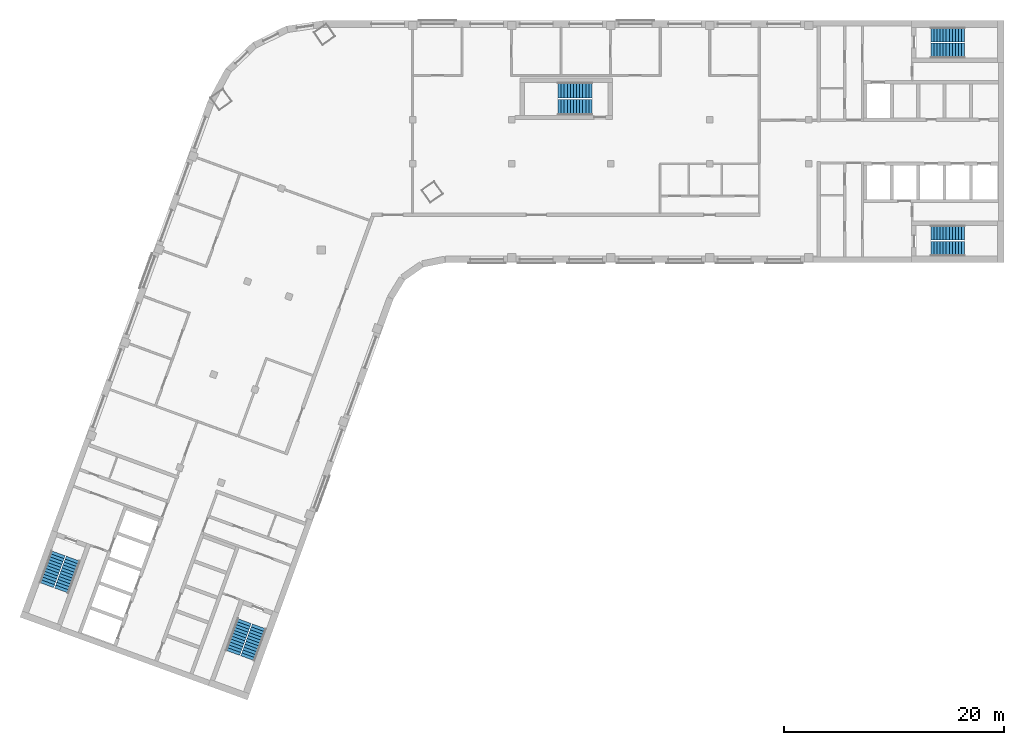
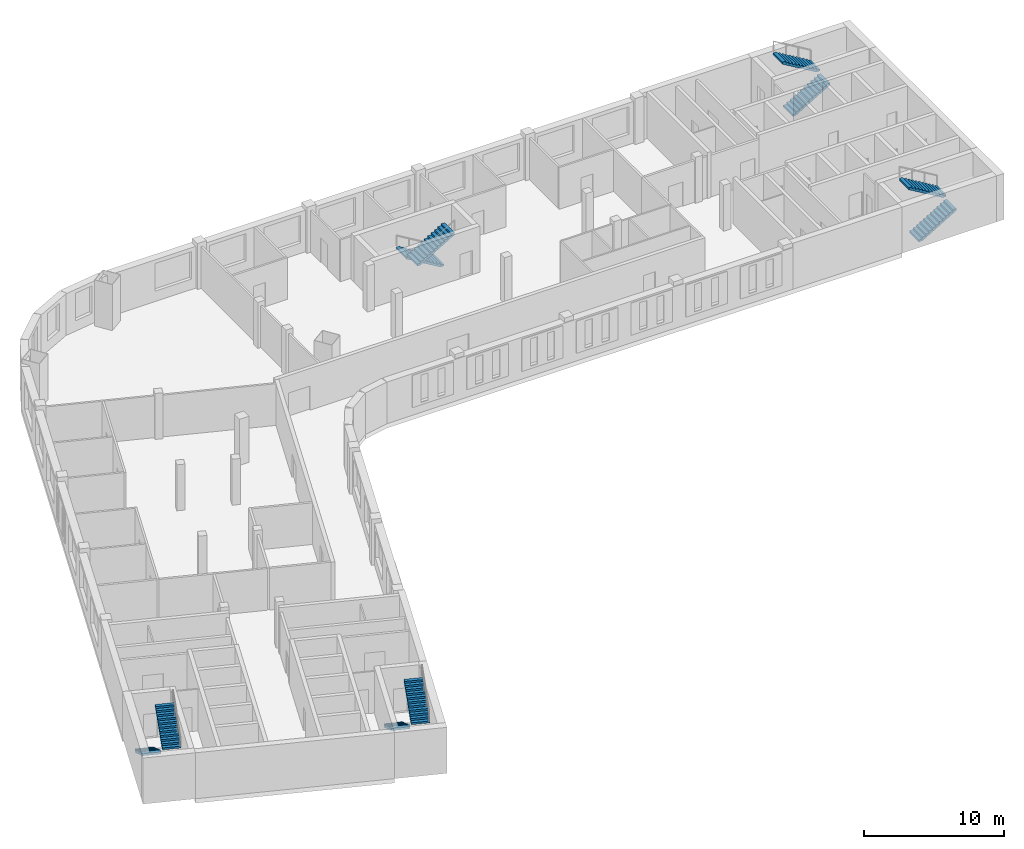
# One storey, part 7 of 8: 10 stair flights, 5 elements without a shape of their own.
"""IFC4 building model written with IfcOpenShell, lengths in metres."""

from ifc_helpers import new_model, si_unit, direction, frame, origin, place, context, subcontext, project, spatial, polyline, outline, extrude, material, type_object, element, aggregate, save


model = new_model("IFC4")

# Units and contexts
model_context = context("Model", 3, precision=1e-05, world=origin(), true_north=direction((0.0, 1.0)))
body_context = subcontext(model_context, "Body", "Model", "MODEL_VIEW")
ifc_project = project(units=[si_unit("LENGTHUNIT", "METRE"), si_unit("AREAUNIT", "SQUARE_METRE"), si_unit("VOLUMEUNIT", "CUBIC_METRE"), si_unit("PLANEANGLEUNIT", "RADIAN"), si_unit("MASSUNIT", "GRAM", prefix="KILO")], contexts=[model_context])

# Site, building, storey
site_placement = place(None, origin())
site = spatial("IfcSite", under=ifc_project, at=site_placement, CompositionType="ELEMENT")
building_placement = place(site_placement, origin())
building = spatial("IfcBuilding", under=site, at=building_placement, Name="Skarvind Civic Tower", CompositionType="ELEMENT")
storey_placement = place(building_placement, frame((0.0, 0.0, 200.0)))
storey = spatial("IfcBuildingStorey", under=building, at=storey_placement, Name="L47", CompositionType="ELEMENT", Elevation=200.0)

# Stair, stair flights
ifc_material = material(Name="Concrete C40/50", Category="concrete")
stair_type_1 = type_object("IfcStairType", Name="Exit stair 1450, half-turn, concrete", PredefinedType="HALF_TURN_STAIR", material=ifc_material)
stair_1_placement = place(storey_placement, origin())
stair_1 = element("IfcStair", 1, at=stair_1_placement, inside=storey, type_object=stair_type_1, Name="Exit stair CM", PredefinedType="HALF_TURN_STAIR")
stair_flight_type_1 = type_object("IfcStairFlightType", Name="Stair flight 1450, concrete", PredefinedType="STRAIGHT", material=ifc_material)
stair_flight_1_placement = place(storey_placement, frame((70.550048828125, 132.675048828125, 0.0), z_axis=(0.0, 0.0, 1.0), x_axis=(-1.0, 0.0, 0.0)))
stair_flight_1 = element("IfcStairFlight", 2, at=stair_flight_1_placement, type_object=stair_flight_type_1, Name="ST-CM flight 1", NumberOfRisers=12, NumberOfTreads=11, PredefinedType="STRAIGHT", RiserHeight=0.166666667, TreadLength=0.28, context=body_context, shape_type="SweptSolid", body=[
    extrude(outline(polyline([(0.0, 0.0), (0.0, 0.166748046875), (0.280029296875, 0.166748046875), (0.280029296875, 0.333251953125), (0.56005859375, 0.333251953125), (0.56005859375, 0.5), (0.840087890625, 0.5), (0.840087890625, 0.666748046875), (1.1201171875, 0.666748046875), (1.1201171875, 0.833251953125), (1.39990234375, 0.833251953125), (1.39990234375, 1.0), (1.679931640625, 1.0), (1.679931640625, 1.166748046875), (1.9599609375, 1.166748046875), (1.9599609375, 1.333251953125), (2.239990234375, 1.333251953125), (2.239990234375, 1.5), (2.52001953125, 1.5), (2.52001953125, 1.666748046875), (2.800048828125, 1.666748046875), (2.800048828125, 1.833251953125), (3.080078125, 1.833251953125), (3.080078125, 2.0), (3.080078125, 1.658935546875), (0.29296875, 0.0), (0.0, 0.0)])), frame((0.0, 0.72509765625, 0.0), z_axis=(0.0, -1.0, 0.0), x_axis=(1.0, 0.0, 0.0)), (0.0, 0.0, 1.0), 1.449951171875),
])
stair_flight_2_placement = place(storey_placement, frame((67.469970703125, 131.125, 2.0), z_axis=(0.0, 0.0, 1.0), x_axis=(1.0, 0.0, 0.0)))
stair_flight_2 = element("IfcStairFlight", 3, at=stair_flight_2_placement, type_object=stair_flight_type_1, Name="ST-CM flight 2", NumberOfRisers=12, NumberOfTreads=11, PredefinedType="STRAIGHT", RiserHeight=0.166666667, TreadLength=0.28, context=body_context, shape_type="SweptSolid", body=[
    extrude(outline(polyline([(0.0, 0.0), (0.0, 0.166748046875), (0.280029296875, 0.166748046875), (0.280029296875, 0.333251953125), (0.56005859375, 0.333251953125), (0.56005859375, 0.5), (0.840087890625, 0.5), (0.840087890625, 0.666748046875), (1.1201171875, 0.666748046875), (1.1201171875, 0.833251953125), (1.39990234375, 0.833251953125), (1.39990234375, 1.0), (1.679931640625, 1.0), (1.679931640625, 1.166748046875), (1.9599609375, 1.166748046875), (1.9599609375, 1.333251953125), (2.239990234375, 1.333251953125), (2.239990234375, 1.5), (2.52001953125, 1.5), (2.52001953125, 1.666748046875), (2.800048828125, 1.666748046875), (2.800048828125, 1.833251953125), (3.080078125, 1.833251953125), (3.080078125, 2.0), (3.080078125, 1.658935546875), (0.29296875, 0.0), (0.0, 0.0)])), frame((0.0, 0.72509765625, 0.0), z_axis=(0.0, -1.0, 0.0), x_axis=(1.0, 0.0, 0.0)), (0.0, 0.0, 1.0), 1.449951171875),
])
aggregate(stair_1, [stair_flight_1, stair_flight_2])

stair_type_2 = type_object("IfcStairType", Name="Exit stair, half-turn, concrete", PredefinedType="HALF_TURN_STAIR", material=ifc_material)
stair_2_placement = place(storey_placement, origin())
stair_2 = element("IfcStair", 4, at=stair_2_placement, inside=storey, type_object=stair_type_2, Name="Exit stair C1S", PredefinedType="HALF_TURN_STAIR")
stair_flight_type_2 = type_object("IfcStairFlightType", Name="Stair flight, concrete", PredefinedType="STRAIGHT", material=ifc_material)
stair_flight_3_placement = place(storey_placement, frame((101.35009765625, 136.27490234375, 0.0), z_axis=(0.0, 0.0, 1.0), x_axis=(1.0, 0.0, 0.0)))
stair_flight_3 = element("IfcStairFlight", 5, at=stair_flight_3_placement, type_object=stair_flight_type_2, Name="ST-C1S flight 1", NumberOfRisers=12, NumberOfTreads=11, PredefinedType="STRAIGHT", RiserHeight=0.166666667, TreadLength=0.28, context=body_context, shape_type="SweptSolid", body=[
    extrude(outline(polyline([(0.0, 0.0), (0.0, 0.166748046875), (0.280029296875, 0.166748046875), (0.280029296875, 0.333251953125), (0.56005859375, 0.333251953125), (0.56005859375, 0.5), (0.840087890625, 0.5), (0.840087890625, 0.666748046875), (1.1201171875, 0.666748046875), (1.1201171875, 0.833251953125), (1.39990234375, 0.833251953125), (1.39990234375, 1.0), (1.679931640625, 1.0), (1.679931640625, 1.166748046875), (1.9599609375, 1.166748046875), (1.9599609375, 1.333251953125), (2.239990234375, 1.333251953125), (2.239990234375, 1.5), (2.52001953125, 1.5), (2.52001953125, 1.666748046875), (2.800048828125, 1.666748046875), (2.800048828125, 1.833251953125), (3.080078125, 1.833251953125), (3.080078125, 2.0), (3.080078125, 1.658935546875), (0.29296875, 0.0), (0.0, 0.0)])), frame((0.0, 0.675048828125, 0.0), z_axis=(0.0, -1.0, 0.0), x_axis=(1.0, 0.0, 0.0)), (0.0, 0.0, 1.0), 1.35009765625),
])
stair_flight_4_placement = place(storey_placement, frame((104.429931640625, 137.72509765625, 2.0), z_axis=(0.0, 0.0, 1.0), x_axis=(-1.0, 0.0, 0.0)))
stair_flight_4 = element("IfcStairFlight", 6, at=stair_flight_4_placement, type_object=stair_flight_type_2, Name="ST-C1S flight 2", NumberOfRisers=12, NumberOfTreads=11, PredefinedType="STRAIGHT", RiserHeight=0.166666667, TreadLength=0.28, context=body_context, shape_type="SweptSolid", body=[
    extrude(outline(polyline([(0.0, 0.0), (0.0, 0.166748046875), (0.280029296875, 0.166748046875), (0.280029296875, 0.333251953125), (0.56005859375, 0.333251953125), (0.56005859375, 0.5), (0.840087890625, 0.5), (0.840087890625, 0.666748046875), (1.1201171875, 0.666748046875), (1.1201171875, 0.833251953125), (1.39990234375, 0.833251953125), (1.39990234375, 1.0), (1.679931640625, 1.0), (1.679931640625, 1.166748046875), (1.9599609375, 1.166748046875), (1.9599609375, 1.333251953125), (2.239990234375, 1.333251953125), (2.239990234375, 1.5), (2.52001953125, 1.5), (2.52001953125, 1.666748046875), (2.800048828125, 1.666748046875), (2.800048828125, 1.833251953125), (3.080078125, 1.833251953125), (3.080078125, 2.0), (3.080078125, 1.658935546875), (0.29296875, 0.0), (0.0, 0.0)])), frame((0.0, 0.675048828125, 0.0), z_axis=(0.0, -1.0, 0.0), x_axis=(1.0, 0.0, 0.0)), (0.0, 0.0, 1.0), 1.35009765625),
])
aggregate(stair_2, [stair_flight_3, stair_flight_4])

stair_3_placement = place(storey_placement, origin())
stair_3 = element("IfcStair", 7, at=stair_3_placement, inside=storey, type_object=stair_type_2, Name="Exit stair C1N", PredefinedType="HALF_TURN_STAIR")
stair_flight_5_placement = place(storey_placement, frame((101.35009765625, 118.27490234375, 0.0), z_axis=(0.0, 0.0, 1.0), x_axis=(1.0, 0.0, 0.0)))
stair_flight_5 = element("IfcStairFlight", 8, at=stair_flight_5_placement, type_object=stair_flight_type_2, Name="ST-C1N flight 1", NumberOfRisers=12, NumberOfTreads=11, PredefinedType="STRAIGHT", RiserHeight=0.166666667, TreadLength=0.28, context=body_context, shape_type="SweptSolid", body=[
    extrude(outline(polyline([(0.0, 0.0), (0.0, 0.166748046875), (0.280029296875, 0.166748046875), (0.280029296875, 0.333251953125), (0.56005859375, 0.333251953125), (0.56005859375, 0.5), (0.840087890625, 0.5), (0.840087890625, 0.666748046875), (1.1201171875, 0.666748046875), (1.1201171875, 0.833251953125), (1.39990234375, 0.833251953125), (1.39990234375, 1.0), (1.679931640625, 1.0), (1.679931640625, 1.166748046875), (1.9599609375, 1.166748046875), (1.9599609375, 1.333251953125), (2.239990234375, 1.333251953125), (2.239990234375, 1.5), (2.52001953125, 1.5), (2.52001953125, 1.666748046875), (2.800048828125, 1.666748046875), (2.800048828125, 1.833251953125), (3.080078125, 1.833251953125), (3.080078125, 2.0), (3.080078125, 1.658935546875), (0.29296875, 0.0), (0.0, 0.0)])), frame((0.0, 0.675048828125, 0.0), z_axis=(0.0, -1.0, 0.0), x_axis=(1.0, 0.0, 0.0)), (0.0, 0.0, 1.0), 1.35009765625),
])
stair_flight_6_placement = place(storey_placement, frame((104.429931640625, 119.72509765625, 2.0), z_axis=(0.0, 0.0, 1.0), x_axis=(-1.0, 0.0, 0.0)))
stair_flight_6 = element("IfcStairFlight", 9, at=stair_flight_6_placement, type_object=stair_flight_type_2, Name="ST-C1N flight 2", NumberOfRisers=12, NumberOfTreads=11, PredefinedType="STRAIGHT", RiserHeight=0.166666667, TreadLength=0.28, context=body_context, shape_type="SweptSolid", body=[
    extrude(outline(polyline([(0.0, 0.0), (0.0, 0.166748046875), (0.280029296875, 0.166748046875), (0.280029296875, 0.333251953125), (0.56005859375, 0.333251953125), (0.56005859375, 0.5), (0.840087890625, 0.5), (0.840087890625, 0.666748046875), (1.1201171875, 0.666748046875), (1.1201171875, 0.833251953125), (1.39990234375, 0.833251953125), (1.39990234375, 1.0), (1.679931640625, 1.0), (1.679931640625, 1.166748046875), (1.9599609375, 1.166748046875), (1.9599609375, 1.333251953125), (2.239990234375, 1.333251953125), (2.239990234375, 1.5), (2.52001953125, 1.5), (2.52001953125, 1.666748046875), (2.800048828125, 1.666748046875), (2.800048828125, 1.833251953125), (3.080078125, 1.833251953125), (3.080078125, 2.0), (3.080078125, 1.658935546875), (0.29296875, 0.0), (0.0, 0.0)])), frame((0.0, 0.675048828125, 0.0), z_axis=(0.0, -1.0, 0.0), x_axis=(1.0, 0.0, 0.0)), (0.0, 0.0, 1.0), 1.35009765625),
])
aggregate(stair_3, [stair_flight_5, stair_flight_6])

stair_4_placement = place(storey_placement, origin())
stair_4 = element("IfcStair", 10, at=stair_4_placement, inside=storey, type_object=stair_type_2, Name="Exit stair C2S", PredefinedType="HALF_TURN_STAIR")
stair_flight_7_placement = place(storey_placement, frame((38.949462890625, 84.43408203125, 0.0), z_axis=(0.0, 0.0, 1.0), x_axis=(-0.342020143326, -0.939692620786, 0.0)))
stair_flight_7 = element("IfcStairFlight", 11, at=stair_flight_7_placement, type_object=stair_flight_type_2, Name="ST-C2S flight 1", NumberOfRisers=12, NumberOfTreads=11, PredefinedType="STRAIGHT", RiserHeight=0.166666667, TreadLength=0.28, context=body_context, shape_type="SweptSolid", body=[
    extrude(outline(polyline([(0.0, 0.0), (0.0, 0.166748046875), (0.280029296875, 0.166748046875), (0.280029296875, 0.333251953125), (0.56005859375, 0.333251953125), (0.56005859375, 0.5), (0.840087890625, 0.5), (0.840087890625, 0.666748046875), (1.1201171875, 0.666748046875), (1.1201171875, 0.833251953125), (1.39990234375, 0.833251953125), (1.39990234375, 1.0), (1.679931640625, 1.0), (1.679931640625, 1.166748046875), (1.9599609375, 1.166748046875), (1.9599609375, 1.333251953125), (2.239990234375, 1.333251953125), (2.239990234375, 1.5), (2.52001953125, 1.5), (2.52001953125, 1.666748046875), (2.800048828125, 1.666748046875), (2.800048828125, 1.833251953125), (3.080078125, 1.833251953125), (3.080078125, 2.0), (3.080078125, 1.658935546875), (0.29296875, 0.0), (0.0, 0.0)])), frame((0.0, 0.675048828125, 0.0), z_axis=(0.0, -1.0, 0.0), x_axis=(1.0, 0.0, 0.0)), (0.0, 0.0, 1.0), 1.35009765625),
])
stair_flight_8_placement = place(storey_placement, frame((39.258544921875, 81.0439453125, 2.0), z_axis=(0.0, 0.0, 1.0), x_axis=(0.342020143326, 0.939692620786, 0.0)))
stair_flight_8 = element("IfcStairFlight", 12, at=stair_flight_8_placement, type_object=stair_flight_type_2, Name="ST-C2S flight 2", NumberOfRisers=12, NumberOfTreads=11, PredefinedType="STRAIGHT", RiserHeight=0.166666667, TreadLength=0.28, context=body_context, shape_type="SweptSolid", body=[
    extrude(outline(polyline([(0.0, 0.0), (0.0, 0.166748046875), (0.280029296875, 0.166748046875), (0.280029296875, 0.333251953125), (0.56005859375, 0.333251953125), (0.56005859375, 0.5), (0.840087890625, 0.5), (0.840087890625, 0.666748046875), (1.1201171875, 0.666748046875), (1.1201171875, 0.833251953125), (1.39990234375, 0.833251953125), (1.39990234375, 1.0), (1.679931640625, 1.0), (1.679931640625, 1.166748046875), (1.9599609375, 1.166748046875), (1.9599609375, 1.333251953125), (2.239990234375, 1.333251953125), (2.239990234375, 1.5), (2.52001953125, 1.5), (2.52001953125, 1.666748046875), (2.800048828125, 1.666748046875), (2.800048828125, 1.833251953125), (3.080078125, 1.833251953125), (3.080078125, 2.0), (3.080078125, 1.658935546875), (0.29296875, 0.0), (0.0, 0.0)])), frame((0.0, 0.675048828125, 0.0), z_axis=(0.0, -1.0, 0.0), x_axis=(1.0, 0.0, 0.0)), (0.0, 0.0, 1.0), 1.35009765625),
])
aggregate(stair_4, [stair_flight_7, stair_flight_8])

stair_5_placement = place(storey_placement, origin())
stair_5 = element("IfcStair", 13, at=stair_5_placement, inside=storey, type_object=stair_type_2, Name="Exit stair C2N", PredefinedType="HALF_TURN_STAIR")
stair_flight_9_placement = place(storey_placement, frame((22.034912109375, 90.590576171875, 0.0), z_axis=(0.0, 0.0, 1.0), x_axis=(-0.342020143326, -0.939692620786, 0.0)))
stair_flight_9 = element("IfcStairFlight", 14, at=stair_flight_9_placement, type_object=stair_flight_type_2, Name="ST-C2N flight 1", NumberOfRisers=12, NumberOfTreads=11, PredefinedType="STRAIGHT", RiserHeight=0.166666667, TreadLength=0.28, context=body_context, shape_type="SweptSolid", body=[
    extrude(outline(polyline([(0.0, 0.0), (0.0, 0.166748046875), (0.280029296875, 0.166748046875), (0.280029296875, 0.333251953125), (0.56005859375, 0.333251953125), (0.56005859375, 0.5), (0.840087890625, 0.5), (0.840087890625, 0.666748046875), (1.1201171875, 0.666748046875), (1.1201171875, 0.833251953125), (1.39990234375, 0.833251953125), (1.39990234375, 1.0), (1.679931640625, 1.0), (1.679931640625, 1.166748046875), (1.9599609375, 1.166748046875), (1.9599609375, 1.333251953125), (2.239990234375, 1.333251953125), (2.239990234375, 1.5), (2.52001953125, 1.5), (2.52001953125, 1.666748046875), (2.800048828125, 1.666748046875), (2.800048828125, 1.833251953125), (3.080078125, 1.833251953125), (3.080078125, 2.0), (3.080078125, 1.658935546875), (0.29296875, 0.0), (0.0, 0.0)])), frame((0.0, 0.675048828125, 0.0), z_axis=(0.0, -1.0, 0.0), x_axis=(1.0, 0.0, 0.0)), (0.0, 0.0, 1.0), 1.35009765625),
])
stair_flight_10_placement = place(storey_placement, frame((22.343994140625, 87.2001953125, 2.0), z_axis=(0.0, 0.0, 1.0), x_axis=(0.342020143326, 0.939692620786, 0.0)))
stair_flight_10 = element("IfcStairFlight", 15, at=stair_flight_10_placement, type_object=stair_flight_type_2, Name="ST-C2N flight 2", NumberOfRisers=12, NumberOfTreads=11, PredefinedType="STRAIGHT", RiserHeight=0.166666667, TreadLength=0.28, context=body_context, shape_type="SweptSolid", body=[
    extrude(outline(polyline([(0.0, 0.0), (0.0, 0.166748046875), (0.280029296875, 0.166748046875), (0.280029296875, 0.333251953125), (0.56005859375, 0.333251953125), (0.56005859375, 0.5), (0.840087890625, 0.5), (0.840087890625, 0.666748046875), (1.1201171875, 0.666748046875), (1.1201171875, 0.833251953125), (1.39990234375, 0.833251953125), (1.39990234375, 1.0), (1.679931640625, 1.0), (1.679931640625, 1.166748046875), (1.9599609375, 1.166748046875), (1.9599609375, 1.333251953125), (2.239990234375, 1.333251953125), (2.239990234375, 1.5), (2.52001953125, 1.5), (2.52001953125, 1.666748046875), (2.800048828125, 1.666748046875), (2.800048828125, 1.833251953125), (3.080078125, 1.833251953125), (3.080078125, 2.0), (3.080078125, 1.658935546875), (0.29296875, 0.0), (0.0, 0.0)])), frame((0.0, 0.675048828125, 0.0), z_axis=(0.0, -1.0, 0.0), x_axis=(1.0, 0.0, 0.0)), (0.0, 0.0, 1.0), 1.35009765625),
])
aggregate(stair_5, [stair_flight_9, stair_flight_10])

save(model, "model.ifc")
